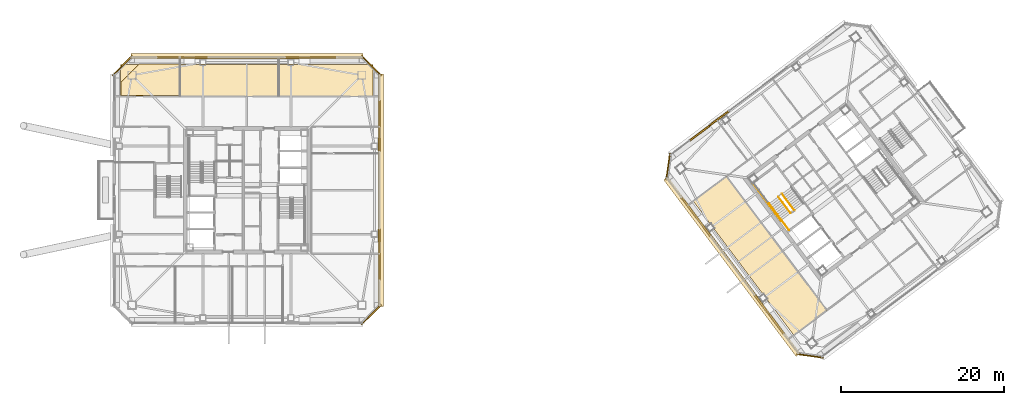
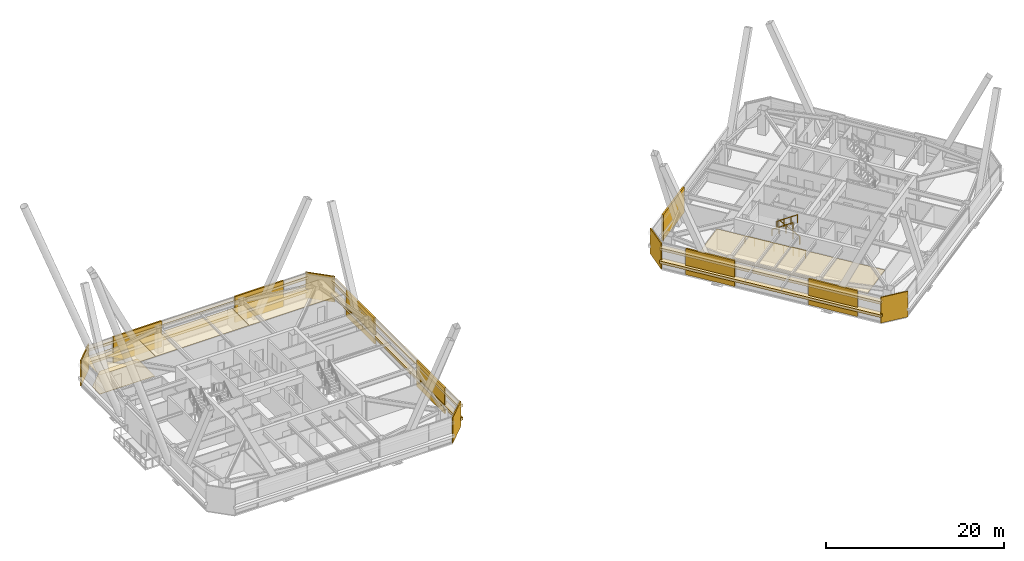
# One storey, part 53 of 56: 23 coverings, 5 railings.
"""IFC4 building model written with IfcOpenShell, lengths in metres."""

from ifc_helpers import new_model, si_unit, direction, frame, origin, origin_2d, place, context, subcontext, project, spatial, polyline, rectangle, outline, extrude, material, layer, layer_set, type_object, element, save


model = new_model("IFC4")

# Units and contexts
model_context = context("Model", 3, precision=1e-05, world=origin(), true_north=direction((0.0, 1.0)))
body_context = subcontext(model_context, "Body", "Model", "MODEL_VIEW")
ifc_project = project(units=[si_unit("LENGTHUNIT", "METRE"), si_unit("AREAUNIT", "SQUARE_METRE"), si_unit("VOLUMEUNIT", "CUBIC_METRE"), si_unit("PLANEANGLEUNIT", "RADIAN"), si_unit("MASSUNIT", "GRAM", prefix="KILO")], contexts=[model_context])

# Site, building, storey
site_placement = place(None, origin())
site = spatial("IfcSite", under=ifc_project, at=site_placement, CompositionType="ELEMENT")
building_placement = place(site_placement, origin())
building = spatial("IfcBuilding", under=site, at=building_placement, Name="Tashvorn Skyway Center", CompositionType="ELEMENT")
storey_placement = place(building_placement, frame((0.0, 0.0, 218.39990234375)))
storey = spatial("IfcBuildingStorey", under=building, at=storey_placement, Name="L59", CompositionType="ELEMENT", Elevation=218.39990234375)

# Coverings
ifc_material_1 = material(Name="Precast concrete C40/50", Category="concrete")
ifc_layer_1 = layer(ifc_material_1, 0.199951171875)
ifc_layer_set_1 = layer_set([ifc_layer_1], Name="Precast concrete C40/50")
covering_type_1 = type_object("IfcCoveringType", Name="COV-BRACE-CLAD", PredefinedType="CLADDING", material=ifc_layer_set_1)
for number, where, z_axis, x_axis, name in (
    (1, (34.122314453125, 48.280029296875, 0.0), (0.0, 0.0, 1.0), (1.0, 0.0, 0.0), "Tower 1 L59 North Unitised Curtain Wall Mega-Brace Cladding Band 1"),
    (2, (49.877685546875, 48.280029296875, 0.0), (0.0, 0.0, 1.0), (1.0, 0.0, 0.0), "Tower 1 L59 North Unitised Curtain Wall Mega-Brace Cladding Band 2"),
    (3, (58.280029296875, 39.877685546875, 0.0), (0.0, 0.0, 1.0), (0.0, -1.0, 0.0), "Tower 1 L59 East Unitised Curtain Wall Mega-Brace Cladding Band 1"),
    (4, (58.280029296875, 24.122314453125, 0.0), (0.0, 0.0, 1.0), (0.0, -1.0, 0.0), "Tower 1 L59 East Unitised Curtain Wall Mega-Brace Cladding Band 2"),
):
    element("IfcCovering", number, at=place(storey_placement, frame(where, z_axis=z_axis, x_axis=x_axis)), inside=storey, type_object=covering_type_1, Name=name, PredefinedType="CLADDING", context=body_context, shape_type="SweptSolid", body=[
        extrude(rectangle(XDim=6.30224609375, YDim=0.199951171875, at=origin_2d()), origin(), (0.0, 0.0, 1.0), 3.550048828125),
    ])
for number, where, z_axis, x_axis, name in (
    (5, (106.109375, 16.720947265625, 0.0), (0.0, 0.0, 1.0), (-0.600000004945, 0.799999996291, 0.0), "Tower 2 L59 West Unitised Curtain Wall Mega-Brace Cladding Band 1"),
    (6, (97.12255859375, 28.703125, 0.0), (0.0, 0.0, 1.0), (-0.600000004945, 0.799999996291, 0.0), "Tower 2 L59 West Unitised Curtain Wall Mega-Brace Cladding Band 2"),
    (7, (98.720947265625, 39.890625, 0.0), (0.0, 0.0, 1.0), (0.799999996291, 0.600000004945, 0.0), "Tower 2 L59 North Unitised Curtain Wall Mega-Brace Cladding Band 1"),
):
    element("IfcCovering", number, at=place(storey_placement, frame(where, z_axis=z_axis, x_axis=x_axis)), inside=storey, type_object=covering_type_1, Name=name, PredefinedType="CLADDING", context=body_context, shape_type="SweptSolid", body=[
        extrude(rectangle(XDim=5.9912109375, YDim=0.199951171875, at=origin_2d()), origin(), (0.0, 0.0, 1.0), 3.550048828125),
    ])
ifc_material_2 = material(Name="Mineral-fibre acoustic ceiling tile on suspended grid")
ifc_layer_2 = layer(ifc_material_2, 0.02001953125)
ifc_layer_set_2 = layer_set([ifc_layer_2], Name="Mineral-fibre acoustic ceiling tile on suspended grid")
covering_type_2 = type_object("IfcCoveringType", Name="COV-CEIL-20", PredefinedType="CEILING", material=ifc_layer_set_2)
covering_1_placement = place(storey_placement, frame((0.0, 0.0, 2.703125)))
element("IfcCovering", 8, at=covering_1_placement, inside=storey, type_object=covering_type_2, Name="Tower 1 L59 Executive Suite Acoustic Ceiling", PredefinedType="CEILING", context=body_context, shape_type="SweptSolid", body=[
    extrude(outline(polyline([(26.5, 43.52001953125), (33.800048828125, 43.52001953125), (33.800048828125, 47.39990234375), (26.5, 47.39990234375), (26.5, 43.52001953125)])), origin(), (0.0, 0.0, 1.0), 0.02001953125),
])
covering_2_placement = place(storey_placement, frame((0.0, 0.0, 2.703125)))
element("IfcCovering", 9, at=covering_2_placement, inside=storey, type_object=covering_type_2, Name="Tower 1 L59 Executive Suite Acoustic Ceiling", PredefinedType="CEILING", context=body_context, shape_type="SweptSolid", body=[
    extrude(outline(polyline([(33.800048828125, 43.52001953125), (45.89990234375, 43.52001953125), (45.89990234375, 47.39990234375), (33.800048828125, 47.39990234375), (33.800048828125, 43.52001953125)])), origin(), (0.0, 0.0, 1.0), 0.02001953125),
])
covering_3_placement = place(storey_placement, frame((0.0, 0.0, 2.703125)))
element("IfcCovering", 10, at=covering_3_placement, inside=storey, type_object=covering_type_2, Name="Tower 1 L59 Catering Pantry Acoustic Ceiling", PredefinedType="CEILING", context=body_context, shape_type="SweptSolid", body=[
    extrude(outline(polyline([(45.89990234375, 43.52001953125), (57.5, 43.52001953125), (57.5, 47.39990234375), (45.89990234375, 47.39990234375), (45.89990234375, 43.52001953125)])), origin(), (0.0, 0.0, 1.0), 0.02001953125),
])
covering_4_placement = place(storey_placement, frame((0.0, 0.0, 2.703125)))
element("IfcCovering", 11, at=covering_4_placement, inside=storey, type_object=covering_type_2, Name="Tower 2 L59 Public Restroom Acoustic Ceiling", PredefinedType="CEILING", context=body_context, shape_type="SweptSolid", body=[
    extrude(outline(polyline([(109.08203125, 14.22412109375), (113.137939453125, 17.26611328125), (100.825927734375, 33.681884765625), (96.77001953125, 30.639892578125), (109.08203125, 14.22412109375)])), origin(), (0.0, 0.0, 1.0), 0.02001953125),
])
ifc_material_3 = material(Name="Polished Mojave desert-aggregate terrazzo and cover plate")
ifc_layer_3 = layer(ifc_material_3, 0.0400390625)
ifc_layer_set_3 = layer_set([ifc_layer_3], Name="Polished Mojave desert-aggregate terrazzo and cover plate")
covering_type_3 = type_object("IfcCoveringType", Name="COV-FLR-40", PredefinedType="FLOORING", material=ifc_layer_set_3)
covering_5_placement = place(storey_placement, origin())
element("IfcCovering", 12, at=covering_5_placement, inside=storey, type_object=covering_type_3, Name="Tower 1 L59 Executive Suite Finish Flooring", PredefinedType="FLOORING", context=body_context, shape_type="SweptSolid", body=[
    extrude(outline(polyline([(33.719970703125, 43.60009765625), (26.580078125, 43.60009765625), (26.580078125, 45.280029296875), (28.800048828125, 47.5), (33.719970703125, 47.5), (33.719970703125, 43.60009765625)])), origin(), (0.0, 0.0, 1.0), 0.0400390625),
])
ifc_material_4 = material(Name="Perforated ceramic-coated bronze aluminium solar screen", Category="aluminium")
ifc_layer_4 = layer(ifc_material_4, 0.85009765625)
ifc_layer_set_4 = layer_set([ifc_layer_4], Name="Perforated ceramic-coated bronze aluminium solar screen")
covering_type_4 = type_object("IfcCoveringType", Name="COV-SOLAR-BAND", PredefinedType="CLADDING", material=ifc_layer_set_4)
for number, where, z_axis, x_axis, name in (
    (13, (42.0, 48.419921875, 0.919921875), (0.0, 0.0, 1.0), (1.0, 0.0, 0.0), "L59 Perforated Ceramic-Metal Solar Screen Louvre Band North 1"),
    (14, (42.0, 48.419921875, 2.72021484375), (0.0, 0.0, 1.0), (1.0, 0.0, 0.0), "L59 Perforated Ceramic-Metal Solar Screen Louvre Band North 2"),
    (15, (58.419921875, 32.0, 0.919921875), (0.0, 0.0, 1.0), (0.0, -1.0, 0.0), "L59 Perforated Ceramic-Metal Solar Screen Louvre Band East 1"),
    (16, (58.419921875, 32.0, 2.72021484375), (0.0, 0.0, 1.0), (0.0, -1.0, 0.0), "L59 Perforated Ceramic-Metal Solar Screen Louvre Band East 2"),
):
    element("IfcCovering", number, at=place(storey_placement, frame(where, z_axis=z_axis, x_axis=x_axis)), inside=storey, type_object=covering_type_4, Name=name, PredefinedType="CLADDING", context=body_context, shape_type="SweptSolid", body=[
        extrude(rectangle(XDim=28.47998046875, YDim=0.639892578125, at=origin_2d()), origin(), (0.0, 0.0, 1.0), 0.360107421875),
    ])
for number, where, z_axis, x_axis, name in (
    (17, (101.50390625, 22.6279296875, 0.919921875), (0.0, 0.0, 1.0), (-0.600000004945, 0.799999996291, 0.0), "L59 Perforated Ceramic-Metal Solar Screen Louvre Band West 1"),
    (18, (101.50390625, 22.6279296875, 2.72021484375), (0.0, 0.0, 1.0), (-0.600000004945, 0.799999996291, 0.0), "L59 Perforated Ceramic-Metal Solar Screen Louvre Band West 2"),
):
    element("IfcCovering", number, at=place(storey_placement, frame(where, z_axis=z_axis, x_axis=x_axis)), inside=storey, type_object=covering_type_4, Name=name, PredefinedType="CLADDING", context=body_context, shape_type="SweptSolid", body=[
        extrude(rectangle(XDim=27.080078125, YDim=0.639892578125, at=origin_2d()), origin(), (0.0, 0.0, 1.0), 0.360107421875),
    ])
ifc_layer_5 = layer(ifc_material_1, 0.35009765625)
ifc_layer_set_5 = layer_set([ifc_layer_5], Name="Precast concrete C40/50")
covering_type_5 = type_object("IfcCoveringType", Name="COV-STONE-TRIM", PredefinedType="CLADDING", material=ifc_layer_set_5)
for number, where, z_axis, x_axis, name in (
    (19, (26.72998046875, 47.27001953125, 0.02001953125), (0.0, 0.0, 1.0), (-0.707106781187, -0.707106781187, 0.0), "Tower 1 L59 NW Mojave Limestone Corner Quoin"),
    (20, (57.27001953125, 47.27001953125, 0.02001953125), (0.0, 0.0, 1.0), (0.707106781187, -0.707106781187, 0.0), "Tower 1 L59 NE Mojave Limestone Corner Quoin"),
    (21, (57.27001953125, 16.72998046875, 0.02001953125), (0.0, 0.0, 1.0), (0.707106781187, 0.707106781187, 0.0), "Tower 1 L59 SE Mojave Limestone Corner Quoin"),
):
    element("IfcCovering", number, at=place(storey_placement, frame(where, z_axis=z_axis, x_axis=x_axis)), inside=storey, type_object=covering_type_5, Name=name, PredefinedType="CLADDING", context=body_context, shape_type="SweptSolid", body=[
        extrude(rectangle(XDim=3.41259765625, YDim=0.139892578125, at=origin_2d()), origin(), (0.0, 0.0, 1.0), 3.510009765625),
    ])
for number, where, z_axis, x_axis, name in (
    (22, (111.095947265625, 11.672119140625, 0.02001953125), (0.0, 0.0, 1.0), (-0.989949494535, 0.141421350118, 0.0), "Tower 2 L59 SW Mojave Limestone Corner Quoin"),
    (23, (93.672119140625, 34.904052734375, 0.02001953125), (0.0, 0.0, 1.0), (-0.141421350118, -0.989949494535, 0.0), "Tower 2 L59 NW Mojave Limestone Corner Quoin"),
):
    element("IfcCovering", number, at=place(storey_placement, frame(where, z_axis=z_axis, x_axis=x_axis)), inside=storey, type_object=covering_type_5, Name=name, PredefinedType="CLADDING", context=body_context, shape_type="SweptSolid", body=[
        extrude(rectangle(XDim=3.271240234375, YDim=0.139892578125, at=origin_2d()), origin(), (0.0, 0.0, 1.0), 3.510009765625),
    ])

# Railings
ifc_material_5 = material(Name="Brushed stainless steel 316", Category="steel")
railing_type_1 = type_object("IfcRailingType", Name="RAIL-HAND-920", PredefinedType="HANDRAIL", material=ifc_material_5)
railing_1_placement = place(storey_placement, frame((106.072021484375, 30.35400390625, 1.95263671875)))
element("IfcRailing", 24, at=railing_1_placement, inside=storey, type_object=railing_type_1, Name="L59 ST-T2-1 stair handrail 2", PredefinedType="HANDRAIL", context=body_context, shape_type="SweptSolid", body=[
    extrude(rectangle(XDim=0.048095703125, YDim=0.048095703125, at=origin_2d()), frame((0.0, 0.0, 0.8759765625), z_axis=(0.506740800098, -0.675708949977, 0.535379469569), x_axis=(0.800023250257, 0.599968998406, 0.0)), (0.0, 0.0, 1.0), 2.983642578125),
    extrude(rectangle(XDim=0.0419921875, YDim=0.0419921875, at=origin_2d()), origin(), (0.0, 0.0, 1.0), 0.851806640625),
    extrude(rectangle(XDim=0.0419921875, YDim=0.0419921875, at=origin_2d()), frame((0.50390625, -0.672119140625, 0.532470703125)), (0.0, 0.0, 1.0), 0.851806640625),
    extrude(rectangle(XDim=0.0419921875, YDim=0.0419921875, at=origin_2d()), frame((1.008056640625, -1.343994140625, 1.06494140625)), (0.0, 0.0, 1.0), 0.851806640625),
    extrude(rectangle(XDim=0.0419921875, YDim=0.0419921875, at=origin_2d()), frame((1.511962890625, -2.01611328125, 1.597412109375)), (0.0, 0.0, 1.0), 0.851806640625),
])
ifc_material_6 = material(Name="Painted galvanized steel S355", Category="steel")
railing_type_2 = type_object("IfcRailingType", Name="RAIL-STGUARD-1100", PredefinedType="GUARDRAIL", material=ifc_material_6)
railing_2_placement = place(storey_placement, frame((109.16796875, 29.52587890625, 0.177490234375)))
element("IfcRailing", 25, at=railing_2_placement, inside=storey, type_object=railing_type_2, Name="L59 ST-T2-1 stair guard 1", PredefinedType="GUARDRAIL", context=body_context, shape_type="SweptSolid", body=[
    extrude(rectangle(XDim=0.048095703125, YDim=0.048095703125, at=origin_2d()), frame((0.0, 0.0, 1.076171875), z_axis=(-0.506718600913, 0.675679348675, 0.535437836974), x_axis=(-0.800023250257, -0.599968998406, 0.0)), (0.0, 0.0, 1.0), 2.98388671875),
    extrude(rectangle(XDim=0.0419921875, YDim=0.0419921875, at=origin_2d()), origin(), (0.0, 0.0, 1.0), 1.052001953125),
    extrude(rectangle(XDim=0.0419921875, YDim=0.0419921875, at=origin_2d()), frame((-0.50390625, 0.672119140625, 0.532470703125)), (0.0, 0.0, 1.0), 1.052001953125),
    extrude(rectangle(XDim=0.0419921875, YDim=0.0419921875, at=origin_2d()), frame((-1.008056640625, 1.343994140625, 1.065185546875)), (0.0, 0.0, 1.0), 1.052001953125),
    extrude(rectangle(XDim=0.0419921875, YDim=0.0419921875, at=origin_2d()), frame((-1.511962890625, 2.01611328125, 1.59765625)), (0.0, 0.0, 1.0), 1.052001953125),
])
railing_3_placement = place(storey_placement, frame((107.19189453125, 31.194091796875, 1.95263671875)))
element("IfcRailing", 26, at=railing_3_placement, inside=storey, type_object=railing_type_2, Name="L59 ST-T2-1 stair guard 4", PredefinedType="GUARDRAIL", context=body_context, shape_type="SweptSolid", body=[
    extrude(rectangle(XDim=0.048095703125, YDim=0.048095703125, at=origin_2d()), frame((0.0, 0.0, 1.076171875), z_axis=(0.506801609611, -0.675680931896, 0.535357270211), x_axis=(0.799976749893, 0.600030998891, 0.0)), (0.0, 0.0, 1.0), 2.98388671875),
    extrude(rectangle(XDim=0.0419921875, YDim=0.0419921875, at=origin_2d()), origin(), (0.0, 0.0, 1.0), 1.052001953125),
    extrude(rectangle(XDim=0.0419921875, YDim=0.0419921875, at=origin_2d()), frame((0.504150390625, -0.672119140625, 0.532470703125)), (0.0, 0.0, 1.0), 1.052001953125),
    extrude(rectangle(XDim=0.0419921875, YDim=0.0419921875, at=origin_2d()), frame((1.008056640625, -1.343994140625, 1.06494140625)), (0.0, 0.0, 1.0), 1.052001953125),
    extrude(rectangle(XDim=0.0419921875, YDim=0.0419921875, at=origin_2d()), frame((1.51220703125, -2.01611328125, 1.597412109375)), (0.0, 0.0, 1.0), 1.052001953125),
])
railing_4_placement = place(storey_placement, frame((108.49609375, 27.1220703125, 0.0)))
element("IfcRailing", 27, at=railing_4_placement, inside=storey, type_object=railing_type_2, Name="L59 ST-T2-1 stair guard 6", PredefinedType="GUARDRAIL", context=body_context, shape_type="SweptSolid", body=[
    extrude(rectangle(XDim=0.048095703125, YDim=0.048095703125, at=origin_2d()), frame((0.0, 0.0, 1.076171875), z_axis=(-0.600102796382, 0.799922892393, 0.0), x_axis=(-0.799922892393, -0.600102796382, 0.0)), (0.0, 0.0, 1.0), 1.52001953125),
    extrude(rectangle(XDim=0.0419921875, YDim=0.0419921875, at=origin_2d()), origin(), (0.0, 0.0, 1.0), 1.052001953125),
    extrude(rectangle(XDim=0.0419921875, YDim=0.0419921875, at=origin_2d()), frame((-0.4560546875, 0.60791015625, 0.0)), (0.0, 0.0, 1.0), 1.052001953125),
    extrude(rectangle(XDim=0.0419921875, YDim=0.0419921875, at=origin_2d()), frame((-0.912109375, 1.2158203125, 0.0)), (0.0, 0.0, 1.0), 1.052001953125),
])
railing_5_placement = place(storey_placement, frame((107.56396484375, 28.197998046875, 0.0)))
element("IfcRailing", 28, at=railing_5_placement, inside=storey, type_object=railing_type_2, Name="L59 ST-T2-1 stair guard 7", PredefinedType="GUARDRAIL", context=body_context, shape_type="SweptSolid", body=[
    extrude(rectangle(XDim=0.048095703125, YDim=0.048095703125, at=origin_2d()), frame((0.0, 0.0, 1.076171875), z_axis=(-0.6, 0.8, 0.0), x_axis=(-0.8, -0.6, 0.0)), (0.0, 0.0, 1.0), 5.880126953125),
    extrude(rectangle(XDim=0.0419921875, YDim=0.0419921875, at=origin_2d()), origin(), (0.0, 0.0, 1.0), 1.052001953125),
    extrude(rectangle(XDim=0.0419921875, YDim=0.0419921875, at=origin_2d()), frame((-0.70556640625, 0.94091796875, 0.0)), (0.0, 0.0, 1.0), 1.052001953125),
    extrude(rectangle(XDim=0.0419921875, YDim=0.0419921875, at=origin_2d()), frame((-1.4111328125, 1.881591796875, 0.0)), (0.0, 0.0, 1.0), 1.052001953125),
    extrude(rectangle(XDim=0.0419921875, YDim=0.0419921875, at=origin_2d()), frame((-2.116943359375, 2.822509765625, 0.0)), (0.0, 0.0, 1.0), 1.052001953125),
    extrude(rectangle(XDim=0.0419921875, YDim=0.0419921875, at=origin_2d()), frame((-2.822509765625, 3.76318359375, 0.0)), (0.0, 0.0, 1.0), 1.052001953125),
    extrude(rectangle(XDim=0.0419921875, YDim=0.0419921875, at=origin_2d()), frame((-3.528076171875, 4.7041015625, 0.0)), (0.0, 0.0, 1.0), 1.052001953125),
])

save(model, "model.ifc")
